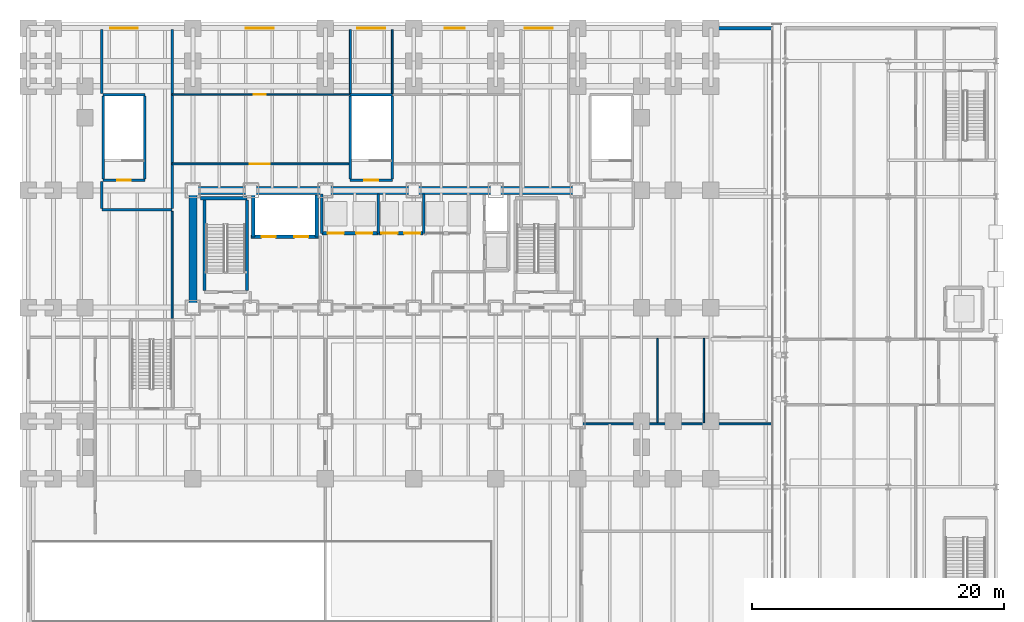
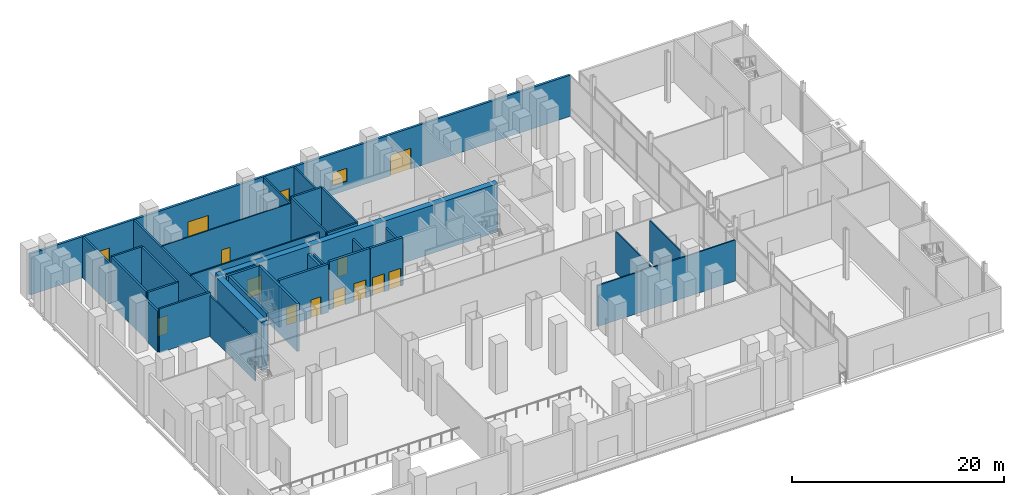
# One storey, part 24 of 36: 34 walls, 14 doors, 1 window, 15 openings.
"""IFC4 building model written with IfcOpenShell, lengths in metres."""

from ifc_helpers import new_model, si_unit, direction, frame, frame_2d, origin, place, context, subcontext, project, spatial, rectangle, extrude, material, layer, layer_set, type_object, element, fill, save


model = new_model("IFC4")

# Units and contexts
model_context = context("Model", 3, precision=1e-05, world=origin(), true_north=direction((0.0, 1.0)))
body_context = subcontext(model_context, "Body", "Model", "MODEL_VIEW")
ifc_project = project(units=[si_unit("LENGTHUNIT", "METRE"), si_unit("AREAUNIT", "SQUARE_METRE"), si_unit("VOLUMEUNIT", "CUBIC_METRE"), si_unit("PLANEANGLEUNIT", "RADIAN"), si_unit("MASSUNIT", "GRAM", prefix="KILO")], contexts=[model_context])

# Site, building, storey
site_placement = place(None, origin())
site = spatial("IfcSite", under=ifc_project, at=site_placement, CompositionType="ELEMENT")
building_placement = place(site_placement, origin())
building = spatial("IfcBuilding", under=site, at=building_placement, Name="Noeulbin Bourse Tower", CompositionType="ELEMENT")
storey_placement = place(building_placement, origin())
storey = spatial("IfcBuildingStorey", under=building, at=storey_placement, Name="L01", CompositionType="ELEMENT", Elevation=0.0)

# Walls
ifc_material_1 = material(Name="Concrete C60/75", Category="concrete")
ifc_layer_1 = layer(ifc_material_1, 0.64990234375)
ifc_layer_set_1 = layer_set([ifc_layer_1], Name="Concrete C60/75")
wall_type_1 = type_object("IfcWallType", Name="WAL-CORE-650", PredefinedType="SHEAR", material=ifc_layer_set_1)
wall_1_placement = place(storey_placement, frame((13.5, 38.300048828125, 0.0), z_axis=(0.0, 0.0, 1.0), x_axis=(1.0, 0.0, 0.0)))
element("IfcWall", 1, at=wall_1_placement, inside=storey, type_object=wall_type_1, Name="Rear Core North Shear Wall L01", PredefinedType="SHEAR", context=body_context, shape_type="SweptSolid", body=[
    extrude(rectangle(XDim=30.5, YDim=0.64990234375, at=frame_2d((15.25, 0.0))), origin(), (0.0, 0.0, 1.0), 5.550048828125),
])
wall_2_placement = place(storey_placement, frame((13.5, 29.35009765625, 0.0), z_axis=(0.0, 0.0, 1.0), x_axis=(0.0, 1.0, 0.0)))
element("IfcWall", 2, at=wall_2_placement, inside=storey, type_object=wall_type_1, Name="Rear Core West Shear Wall L01", PredefinedType="SHEAR", context=body_context, shape_type="SweptSolid", body=[
    extrude(rectangle(XDim=8.599853515625, YDim=0.64990234375, at=frame_2d((4.2998046875, 0.0))), origin(), (0.0, 0.0, 1.0), 5.550048828125),
])

# Wall, openings, doors, window
ifc_material_2 = material(Name="Precast Concrete C40/50", Category="concrete")
ifc_layer_2 = layer(ifc_material_2, 0.25)
ifc_layer_set_2 = layer_set([ifc_layer_2], Name="Precast Concrete C40/50")
wall_type_2 = type_object("IfcWallType", Name="WAL-EXT-250", PredefinedType="STANDARD", material=ifc_layer_set_2)
wall_3_placement = place(storey_placement, frame((0.449951171875, 51.14990234375, 0.0), z_axis=(0.0, 0.0, 1.0), x_axis=(1.0, 0.0, 0.0)))
wall_3 = element("IfcWall", 3, at=wall_3_placement, inside=storey, type_object=wall_type_2, Name="Concourse North Facade Wall", PredefinedType="STANDARD", context=body_context, shape_type="SweptSolid", body=[
    extrude(rectangle(XDim=58.969970703125, YDim=0.25, at=frame_2d((29.48486328125, 0.0))), origin(), (0.0, 0.0, 1.0), 4.75),
])
opening_1_placement = place(wall_3_placement, frame((6.489990234375, 0.0, 0.0)))
opening_1 = element("IfcOpeningElement", 4, at=opening_1_placement, cuts=wall_3, Name="Opening ED-22", PredefinedType="OPENING", context=body_context, shape_type="SweptSolid", body=[
    extrude(rectangle(XDim=2.199951171875, YDim=2.39990234375, at=frame_2d((1.10009765625, 1.199951171875))), frame((0.0, 0.135009765625, 0.0), z_axis=(0.0, -1.0, 0.0), x_axis=(1.0, 0.0, 0.0)), (0.0, 0.0, 1.0), 0.27001953125),
])
opening_2_placement = place(wall_3_placement, frame((17.25, 0.0, 0.0)))
opening_2 = element("IfcOpeningElement", 5, at=opening_2_placement, cuts=wall_3, Name="Opening ED-22", PredefinedType="OPENING", context=body_context, shape_type="SweptSolid", body=[
    extrude(rectangle(XDim=2.199951171875, YDim=2.39990234375, at=frame_2d((1.10009765625, 1.199951171875))), frame((0.0, 0.135009765625, 0.0), z_axis=(0.0, -1.0, 0.0), x_axis=(1.0, 0.0, 0.0)), (0.0, 0.0, 1.0), 0.27001953125),
])
opening_3_placement = place(wall_3_placement, frame((26.090087890625, 0.0, 0.0)))
opening_3 = element("IfcOpeningElement", 6, at=opening_3_placement, cuts=wall_3, Name="Opening ED-22", PredefinedType="OPENING", context=body_context, shape_type="SweptSolid", body=[
    extrude(rectangle(XDim=2.199951171875, YDim=2.39990234375, at=frame_2d((1.10009765625, 1.199951171875))), frame((0.0, 0.135009765625, 0.0), z_axis=(0.0, -1.0, 0.0), x_axis=(1.0, 0.0, 0.0)), (0.0, 0.0, 1.0), 0.27001953125),
])
opening_4_placement = place(wall_3_placement, frame((39.35009765625, 0.0, 0.0)))
opening_4 = element("IfcOpeningElement", 7, at=opening_4_placement, cuts=wall_3, Name="Opening ED-22", PredefinedType="OPENING", context=body_context, shape_type="SweptSolid", body=[
    extrude(rectangle(XDim=2.199951171875, YDim=2.39990234375, at=frame_2d((1.10009765625, 1.199951171875))), frame((0.0, 0.135009765625, 0.0), z_axis=(0.0, -1.0, 0.0), x_axis=(1.0, 0.0, 0.0)), (0.0, 0.0, 1.0), 0.27001953125),
])
opening_5_placement = place(wall_3_placement, frame((33.0, 0.0, 1.050048828125)))
opening_5 = element("IfcOpeningElement", 8, at=opening_5_placement, cuts=wall_3, Name="Opening W-03", PredefinedType="OPENING", context=body_context, shape_type="SweptSolid", body=[
    extrude(rectangle(XDim=1.60009765625, YDim=1.5, at=frame_2d((0.800048828125, 0.75))), frame((0.0, 0.135009765625, 0.0), z_axis=(0.0, -1.0, 0.0), x_axis=(1.0, 0.0, 0.0)), (0.0, 0.0, 1.0), 0.27001953125),
])
ifc_material_3 = material(Name="Anodised Aluminium Framed Toughened Glass", Category="aluminium")
door_type_1 = type_object("IfcDoorType", Name="DR-EXT-2200", OperationType="DOUBLE_DOOR_SINGLE_SWING", PredefinedType="DOOR", material=ifc_material_3)
door_1_placement = place(opening_1_placement, origin())
door_1 = element("IfcDoor", 9, at=door_1_placement, inside=storey, type_object=door_type_1, Name="Harbour Promenade Exit Portal ED-N1", OperationType="DOUBLE_DOOR_SINGLE_SWING", OverallHeight=2.39990234375, OverallWidth=2.199951171875, PredefinedType="DOOR", context=body_context, shape_type="SweptSolid", body=[
    extrude(rectangle(XDim=2.199951171875, YDim=2.39990234375, at=frame_2d((1.10009765625, 1.199951171875))), frame((0.0, 0.02490234375, 0.0), z_axis=(0.0, -1.0, 0.0), x_axis=(1.0, 0.0, 0.0)), (0.0, 0.0, 1.0), 0.050048828125),
])
fill(opening_1, door_1)
door_2_placement = place(opening_2_placement, origin())
door_2 = element("IfcDoor", 10, at=door_2_placement, inside=storey, type_object=door_type_1, Name="Harbour Promenade Exit Portal ED-N2", OperationType="DOUBLE_DOOR_SINGLE_SWING", OverallHeight=2.39990234375, OverallWidth=2.199951171875, PredefinedType="DOOR", context=body_context, shape_type="SweptSolid", body=[
    extrude(rectangle(XDim=2.199951171875, YDim=2.39990234375, at=frame_2d((1.10009765625, 1.199951171875))), frame((0.0, 0.02490234375, 0.0), z_axis=(0.0, -1.0, 0.0), x_axis=(1.0, 0.0, 0.0)), (0.0, 0.0, 1.0), 0.050048828125),
])
fill(opening_2, door_2)
door_3_placement = place(opening_3_placement, origin())
door_3 = element("IfcDoor", 11, at=door_3_placement, inside=storey, type_object=door_type_1, Name="Harbour Promenade Exit Portal ED-N3", OperationType="DOUBLE_DOOR_SINGLE_SWING", OverallHeight=2.39990234375, OverallWidth=2.199951171875, PredefinedType="DOOR", context=body_context, shape_type="SweptSolid", body=[
    extrude(rectangle(XDim=2.199951171875, YDim=2.39990234375, at=frame_2d((1.10009765625, 1.199951171875))), frame((0.0, 0.02490234375, 0.0), z_axis=(0.0, -1.0, 0.0), x_axis=(1.0, 0.0, 0.0)), (0.0, 0.0, 1.0), 0.050048828125),
])
fill(opening_3, door_3)
door_4_placement = place(opening_4_placement, origin())
door_4 = element("IfcDoor", 12, at=door_4_placement, inside=storey, type_object=door_type_1, Name="Harbour Promenade Exit Portal ED-N4", OperationType="DOUBLE_DOOR_SINGLE_SWING", OverallHeight=2.39990234375, OverallWidth=2.199951171875, PredefinedType="DOOR", context=body_context, shape_type="SweptSolid", body=[
    extrude(rectangle(XDim=2.199951171875, YDim=2.39990234375, at=frame_2d((1.10009765625, 1.199951171875))), frame((0.0, 0.02490234375, 0.0), z_axis=(0.0, -1.0, 0.0), x_axis=(1.0, 0.0, 0.0)), (0.0, 0.0, 1.0), 0.050048828125),
])
fill(opening_4, door_4)
ifc_material_4 = material(Name="Thermally Broken Aluminium Triple Glazing", Category="aluminium")
window_type = type_object("IfcWindowType", Name="WIN-STN-1600x1500", PartitioningType="SINGLE_PANEL", PredefinedType="WINDOW", material=ifc_material_4)
window_placement = place(opening_5_placement, origin())
window = element("IfcWindow", 13, at=window_placement, inside=storey, type_object=window_type, Name="Station Concourse Window W3-04", OverallHeight=1.5, OverallWidth=1.60009765625, PartitioningType="SINGLE_PANEL", PredefinedType="WINDOW", context=body_context, shape_type="SweptSolid", body=[
    extrude(rectangle(XDim=1.60009765625, YDim=1.5, at=frame_2d((0.800048828125, 0.75))), frame((0.0, 0.030029296875, 0.0), z_axis=(0.0, -1.0, 0.0), x_axis=(1.0, 0.0, 0.0)), (0.0, 0.0, 1.0), 0.06005859375),
])
fill(opening_5, window)

# Wall, opening, door
ifc_material_5 = material(Name="Concrete C40/50", Category="concrete")
ifc_layer_3 = layer(ifc_material_5, 0.199951171875)
ifc_layer_set_3 = layer_set([ifc_layer_3], Name="Concrete C40/50")
wall_type_3 = type_object("IfcWallType", Name="WAL-FIRE-200", PredefinedType="STANDARD", material=ifc_layer_set_3)
wall_4_placement = place(storey_placement, frame((6.360107421875, 39.10009765625, 0.0), z_axis=(0.0, 0.0, 1.0), x_axis=(1.0, 0.0, 0.0)))
wall_4 = element("IfcWall", 14, at=wall_4_placement, inside=storey, type_object=wall_type_3, Name="Stair STS1 South Wall L01", PredefinedType="STANDARD", context=body_context, shape_type="SweptSolid", body=[
    extrude(rectangle(XDim=3.35986328125, YDim=0.199951171875, at=frame_2d((1.679931640625, 0.0))), origin(), (0.0, 0.0, 1.0), 5.550048828125),
])
opening_6_placement = place(wall_4_placement, frame((1.1298828125, 0.0, 0.0)))
opening_6 = element("IfcOpeningElement", 15, at=opening_6_placement, cuts=wall_4, Name="Opening FD-11", PredefinedType="OPENING", context=body_context, shape_type="SweptSolid", body=[
    extrude(rectangle(XDim=1.10009765625, YDim=2.080078125, at=frame_2d((0.550048828125, 1.0400390625))), frame((0.0, 0.10986328125, 0.0), z_axis=(0.0, -1.0, 0.0), x_axis=(1.0, 0.0, 0.0)), (0.0, 0.0, 1.0), 0.219970703125),
])
ifc_material_6 = material(Name="Fire-Rated Insulated Steel", Category="steel")
door_type_2 = type_object("IfcDoorType", Name="DR-FD60-1100", OperationType="SINGLE_SWING_LEFT", PredefinedType="DOOR", material=ifc_material_6)
door_5_placement = place(opening_6_placement, origin())
door_5 = element("IfcDoor", 16, at=door_5_placement, inside=storey, type_object=door_type_2, Name="Escape Stair Door STS1-L01", OperationType="SINGLE_SWING_RIGHT", OverallHeight=2.080078125, OverallWidth=1.10009765625, PredefinedType="DOOR", context=body_context, shape_type="SweptSolid", body=[
    extrude(rectangle(XDim=1.10009765625, YDim=2.080078125, at=frame_2d((0.550048828125, 1.0400390625))), frame((0.0, 0.02490234375, 0.0), z_axis=(0.0, -1.0, 0.0), x_axis=(1.0, 0.0, 0.0)), (0.0, 0.0, 1.0), 0.050048828125),
])
fill(opening_6, door_5)

# Walls
wall_5_placement = place(storey_placement, frame((6.360107421875, 45.8798828125, 0.0), z_axis=(0.0, 0.0, 1.0), x_axis=(1.0, 0.0, 0.0)))
element("IfcWall", 17, at=wall_5_placement, inside=storey, type_object=wall_type_3, Name="Stair STS1 North Wall L01", PredefinedType="STANDARD", context=body_context, shape_type="SweptSolid", body=[
    extrude(rectangle(XDim=3.35986328125, YDim=0.199951171875, at=frame_2d((1.679931640625, 0.0))), origin(), (0.0, 0.0, 1.0), 5.550048828125),
])
for number, where, z_axis, x_axis, name in (
    (18, (6.3798828125, 39.199951171875, 0.0), (0.0, 0.0, 1.0), (0.0, 1.0, 0.0), "Stair STS1 West Wall L01"),
    (19, (9.699951171875, 39.199951171875, 0.0), (0.0, 0.0, 1.0), (0.0, 1.0, 0.0), "Stair STS1 East Wall L01"),
):
    element("IfcWall", number, at=place(storey_placement, frame(where, z_axis=z_axis, x_axis=x_axis)), inside=storey, type_object=wall_type_3, Name=name, PredefinedType="STANDARD", context=body_context, shape_type="SweptSolid", body=[
        extrude(rectangle(XDim=6.580078125, YDim=0.199951171875, at=frame_2d((3.2900390625, 0.0))), origin(), (0.0, 0.0, 1.0), 5.550048828125),
    ])

# Wall, opening, door
wall_6_placement = place(storey_placement, frame((25.9599609375, 39.10009765625, 0.0), z_axis=(0.0, 0.0, 1.0), x_axis=(1.0, 0.0, 0.0)))
wall_6 = element("IfcWall", 20, at=wall_6_placement, inside=storey, type_object=wall_type_3, Name="Stair STS2 South Wall L01", PredefinedType="STANDARD", context=body_context, shape_type="SweptSolid", body=[
    extrude(rectangle(XDim=3.360107421875, YDim=0.199951171875, at=frame_2d((1.68017578125, 0.0))), origin(), (0.0, 0.0, 1.0), 5.550048828125),
])
opening_7_placement = place(wall_6_placement, frame((1.1298828125, 0.0, 0.0)))
opening_7 = element("IfcOpeningElement", 21, at=opening_7_placement, cuts=wall_6, Name="Opening FD-11", PredefinedType="OPENING", context=body_context, shape_type="SweptSolid", body=[
    extrude(rectangle(XDim=1.10009765625, YDim=2.080078125, at=frame_2d((0.550048828125, 1.0400390625))), frame((0.0, 0.10986328125, 0.0), z_axis=(0.0, -1.0, 0.0), x_axis=(1.0, 0.0, 0.0)), (0.0, 0.0, 1.0), 0.219970703125),
])
door_6_placement = place(opening_7_placement, origin())
door_6 = element("IfcDoor", 22, at=door_6_placement, inside=storey, type_object=door_type_2, Name="Escape Stair Door STS2-L01", OperationType="SINGLE_SWING_RIGHT", OverallHeight=2.080078125, OverallWidth=1.10009765625, PredefinedType="DOOR", context=body_context, shape_type="SweptSolid", body=[
    extrude(rectangle(XDim=1.10009765625, YDim=2.080078125, at=frame_2d((0.550048828125, 1.0400390625))), frame((0.0, 0.02490234375, 0.0), z_axis=(0.0, -1.0, 0.0), x_axis=(1.0, 0.0, 0.0)), (0.0, 0.0, 1.0), 0.050048828125),
])
fill(opening_7, door_6)

# Walls
wall_7_placement = place(storey_placement, frame((25.9599609375, 45.8798828125, 0.0), z_axis=(0.0, 0.0, 1.0), x_axis=(1.0, 0.0, 0.0)))
element("IfcWall", 23, at=wall_7_placement, inside=storey, type_object=wall_type_3, Name="Stair STS2 North Wall L01", PredefinedType="STANDARD", context=body_context, shape_type="SweptSolid", body=[
    extrude(rectangle(XDim=3.360107421875, YDim=0.199951171875, at=frame_2d((1.68017578125, 0.0))), origin(), (0.0, 0.0, 1.0), 5.550048828125),
])
for number, where, z_axis, x_axis, name in (
    (24, (25.97998046875, 39.199951171875, 0.0), (0.0, 0.0, 1.0), (0.0, 1.0, 0.0), "Stair STS2 West Wall L01"),
    (25, (29.300048828125, 39.199951171875, 0.0), (0.0, 0.0, 1.0), (0.0, 1.0, 0.0), "Stair STS2 East Wall L01"),
):
    element("IfcWall", number, at=place(storey_placement, frame(where, z_axis=z_axis, x_axis=x_axis)), inside=storey, type_object=wall_type_3, Name=name, PredefinedType="STANDARD", context=body_context, shape_type="SweptSolid", body=[
        extrude(rectangle(XDim=6.580078125, YDim=0.199951171875, at=frame_2d((3.2900390625, 0.0))), origin(), (0.0, 0.0, 1.0), 5.550048828125),
    ])
wall_8_placement = place(storey_placement, frame((6.280029296875, 36.75, 0.0), z_axis=(0.0, 0.0, 1.0), x_axis=(1.0, 0.0, 0.0)))
element("IfcWall", 26, at=wall_8_placement, inside=storey, type_object=wall_type_3, Name="Interior Partition Wall L01-01", PredefinedType="STANDARD", context=body_context, shape_type="SweptSolid", body=[
    extrude(rectangle(XDim=5.570068359375, YDim=0.199951171875, at=frame_2d((2.78515625, 0.0))), origin(), (0.0, 0.0, 1.0), 5.080078125),
])
wall_9_placement = place(storey_placement, frame((6.280029296875, 36.860107421875, 0.0), z_axis=(0.0, 0.0, 1.0), x_axis=(0.0, 1.0, 0.0)))
element("IfcWall", 27, at=wall_9_placement, inside=storey, type_object=wall_type_3, Name="Interior Partition Wall L01-16", PredefinedType="STANDARD", context=body_context, shape_type="SweptSolid", body=[
    extrude(rectangle(XDim=2.1298828125, YDim=0.199951171875, at=frame_2d((1.06494140625, 0.0))), origin(), (0.0, 0.0, 1.0), 4.72998046875),
])
wall_10_placement = place(storey_placement, frame((6.280029296875, 45.989990234375, 0.0), z_axis=(0.0, 0.0, 1.0), x_axis=(0.0, 1.0, 0.0)))
element("IfcWall", 28, at=wall_10_placement, inside=storey, type_object=wall_type_3, Name="Interior Partition Wall L01-17", PredefinedType="STANDARD", context=body_context, shape_type="SweptSolid", body=[
    extrude(rectangle(XDim=5.0400390625, YDim=0.199951171875, at=frame_2d((2.52001953125, 0.0))), origin(), (0.0, 0.0, 1.0), 4.72998046875),
])
wall_11_placement = place(storey_placement, frame((11.85009765625, 36.860107421875, 0.0), z_axis=(0.0, 0.0, 1.0), x_axis=(0.0, 1.0, 0.0)))
element("IfcWall", 29, at=wall_11_placement, inside=storey, type_object=wall_type_3, Name="Interior Partition Wall L01-18", PredefinedType="STANDARD", context=body_context, shape_type="SweptSolid", body=[
    extrude(rectangle(XDim=14.169921875, YDim=0.199951171875, at=frame_2d((7.0849609375, 0.0))), origin(), (0.0, 0.0, 1.0), 4.72998046875),
])

# Wall, opening, door
ifc_material_7 = material(Name="Steel Stud Gypsum Partition", Category="steel")
ifc_layer_4 = layer(ifc_material_7, 0.1201171875)
ifc_layer_set_4 = layer_set([ifc_layer_4], Name="Steel Stud Gypsum Partition")
wall_type_4 = type_object("IfcWallType", Name="WAL-PRT-120", PredefinedType="PARTITIONING", material=ifc_layer_set_4)
wall_12_placement = place(storey_placement, frame((11.85009765625, 45.89990234375, 0.0), z_axis=(0.0, 0.0, 1.0), x_axis=(1.0, 0.0, 0.0)))
wall_12 = element("IfcWall", 30, at=wall_12_placement, inside=storey, type_object=wall_type_4, Name="Interior Partition Wall L01-03", PredefinedType="PARTITIONING", context=body_context, shape_type="SweptSolid", body=[
    extrude(rectangle(XDim=14.1298828125, YDim=0.1201171875, at=frame_2d((7.06494140625, 0.0))), origin(), (0.0, 0.0, 1.0), 4.830078125),
])
opening_8_placement = place(wall_12_placement, frame((6.47509765625, 0.0, 0.0)))
opening_8 = element("IfcOpeningElement", 31, at=opening_8_placement, cuts=wall_12, Name="Opening ID-09", PredefinedType="OPENING", context=body_context, shape_type="SweptSolid", body=[
    extrude(rectangle(XDim=0.949951171875, YDim=2.080078125, at=frame_2d((0.47509765625, 1.0400390625))), frame((0.0, 0.070068359375, 0.0), z_axis=(0.0, -1.0, 0.0), x_axis=(1.0, 0.0, 0.0)), (0.0, 0.0, 1.0), 0.14013671875),
])
ifc_material_8 = material(Name="Acoustic Solid-Core Timber", Category="wood")
door_type_3 = type_object("IfcDoorType", Name="DR-SINGLE-950", OperationType="SINGLE_SWING_LEFT", PredefinedType="DOOR", material=ifc_material_8)
door_7_placement = place(opening_8_placement, origin())
door_7 = element("IfcDoor", 32, at=door_7_placement, inside=storey, type_object=door_type_3, Name="Interior Door L01-13", OperationType="SINGLE_SWING_LEFT", OverallHeight=2.080078125, OverallWidth=0.949951171875, PredefinedType="DOOR", context=body_context, shape_type="SweptSolid", body=[
    extrude(rectangle(XDim=0.949951171875, YDim=2.080078125, at=frame_2d((0.47509765625, 1.0400390625))), frame((0.0, 0.02490234375, 0.0), z_axis=(0.0, -1.0, 0.0), x_axis=(1.0, 0.0, 0.0)), (0.0, 0.0, 1.0), 0.050048828125),
])
fill(opening_8, door_7)

# Walls
for number, where, z_axis, x_axis, name in (
    (33, (50.300048828125, 19.885009765625, 0.0), (0.0, 0.0, 1.0), (0.0, 1.0, 0.0), "Interior Partition Wall L01-29"),
    (34, (54.0, 19.885009765625, 0.0), (0.0, 0.0, 1.0), (0.0, 1.0, 0.0), "Interior Partition Wall L01-30"),
):
    element("IfcWall", number, at=place(storey_placement, frame(where, z_axis=z_axis, x_axis=x_axis)), inside=storey, type_object=wall_type_4, Name=name, PredefinedType="PARTITIONING", context=body_context, shape_type="SweptSolid", body=[
        extrude(rectangle(XDim=6.679931640625, YDim=0.1201171875, at=frame_2d((3.33984375, 0.0))), origin(), (0.0, 0.0, 1.0), 4.72998046875),
    ])
ifc_material_9 = material(Name="Steel Stud Acoustic Gypsum Board", Category="steel")
ifc_layer_5 = layer(ifc_material_9, 0.14990234375)
ifc_layer_set_5 = layer_set([ifc_layer_5], Name="Steel Stud Acoustic Gypsum Board")
wall_type_5 = type_object("IfcWallType", Name="WAL-PRT-150", PredefinedType="PARTITIONING", material=ifc_layer_set_5)
wall_13_placement = place(storey_placement, frame((44.300048828125, 19.800048828125, 0.0), z_axis=(0.0, 0.0, 1.0), x_axis=(1.0, 0.0, 0.0)))
element("IfcWall", 35, at=wall_13_placement, inside=storey, type_object=wall_type_5, Name="Interior Partition Wall L01-08", PredefinedType="PARTITIONING", context=body_context, shape_type="SweptSolid", body=[
    extrude(rectangle(XDim=15.050048828125, YDim=0.14990234375, at=frame_2d((7.52490234375, 0.0))), origin(), (0.0, 0.0, 1.0), 4.72998046875),
])

# Wall, opening, door
wall_14_placement = place(storey_placement, frame((11.85009765625, 40.39990234375, 0.0), z_axis=(0.0, 0.0, 1.0), x_axis=(1.0, 0.0, 0.0)))
wall_14 = element("IfcWall", 36, at=wall_14_placement, inside=storey, type_object=wall_type_5, Name="Interior Partition Wall L01-09", PredefinedType="PARTITIONING", context=body_context, shape_type="SweptSolid", body=[
    extrude(rectangle(XDim=14.02001953125, YDim=0.14990234375, at=frame_2d((7.010009765625, 0.0))), origin(), (0.0, 0.0, 1.0), 4.830078125),
])
opening_9_placement = place(wall_14_placement, frame((6.14990234375, 0.0, 0.0)))
opening_9 = element("IfcOpeningElement", 37, at=opening_9_placement, cuts=wall_14, Name="Opening ID-16", PredefinedType="OPENING", context=body_context, shape_type="SweptSolid", body=[
    extrude(rectangle(XDim=1.60009765625, YDim=2.080078125, at=frame_2d((0.800048828125, 1.0400390625))), frame((0.0, 0.0849609375, 0.0), z_axis=(0.0, -1.0, 0.0), x_axis=(1.0, 0.0, 0.0)), (0.0, 0.0, 1.0), 0.169921875),
])
ifc_material_10 = material(Name="Acoustic Glazed Aluminium", Category="aluminium")
door_type_4 = type_object("IfcDoorType", Name="DR-DBL-1600", OperationType="DOUBLE_DOOR_SINGLE_SWING", PredefinedType="DOOR", material=ifc_material_10)
door_8_placement = place(opening_9_placement, origin())
door_8 = element("IfcDoor", 38, at=door_8_placement, inside=storey, type_object=door_type_4, Name="Interior Door L01-11", OperationType="DOUBLE_DOOR_SINGLE_SWING", OverallHeight=2.080078125, OverallWidth=1.60009765625, PredefinedType="DOOR", context=body_context, shape_type="SweptSolid", body=[
    extrude(rectangle(XDim=1.60009765625, YDim=2.080078125, at=frame_2d((0.800048828125, 1.0400390625))), frame((0.0, 0.02490234375, 0.0), z_axis=(0.0, -1.0, 0.0), x_axis=(1.0, 0.0, 0.0)), (0.0, 0.0, 1.0), 0.050048828125),
])
fill(opening_9, door_8)

# Walls
for number, where, z_axis, x_axis, name in (
    (39, (25.97998046875, 45.969970703125, 0.0), (0.0, 0.0, 1.0), (0.0, 1.0, 0.0), "Interior Partition Wall L01-20"),
    (40, (29.300048828125, 45.969970703125, 0.0), (0.0, 0.0, 1.0), (0.0, 1.0, 0.0), "Interior Partition Wall L01-21"),
):
    element("IfcWall", number, at=place(storey_placement, frame(where, z_axis=z_axis, x_axis=x_axis)), inside=storey, type_object=wall_type_5, Name=name, PredefinedType="PARTITIONING", context=body_context, shape_type="SweptSolid", body=[
        extrude(rectangle(XDim=5.06005859375, YDim=0.14990234375, at=frame_2d((2.530029296875, 0.0))), origin(), (0.0, 0.0, 1.0), 4.72998046875),
    ])
wall_15_placement = place(storey_placement, frame((11.85009765625, 28.14990234375, 0.0), z_axis=(0.0, 0.0, 1.0), x_axis=(0.0, 1.0, 0.0)))
element("IfcWall", 41, at=wall_15_placement, inside=storey, type_object=wall_type_5, Name="Interior Partition Wall L01-31", PredefinedType="PARTITIONING", context=body_context, shape_type="SweptSolid", body=[
    extrude(rectangle(XDim=8.489990234375, YDim=0.14990234375, at=frame_2d((4.2451171875, 0.0))), origin(), (0.0, 0.0, 1.0), 4.72998046875),
])
ifc_layer_6 = layer(ifc_material_5, 0.25)
ifc_layer_set_6 = layer_set([ifc_layer_6], Name="Concrete C40/50")
wall_type_6 = type_object("IfcWallType", Name="WAL-SHFT-250", PredefinedType="STANDARD", material=ifc_layer_set_6)
wall_16_placement = place(storey_placement, frame((14.10009765625, 37.6689453125, 0.0), z_axis=(0.0, 0.0, 1.0), x_axis=(1.0, 0.0, 0.0)))
element("IfcWall", 42, at=wall_16_placement, inside=storey, type_object=wall_type_6, Name="Stair ST-1 North Shaft Wall L01", PredefinedType="STANDARD", context=body_context, shape_type="SweptSolid", body=[
    extrude(rectangle(XDim=3.669921875, YDim=0.25, at=frame_2d((1.8349609375, 0.0))), origin(), (0.0, 0.0, 1.0), 5.550048828125),
])
for number, where, z_axis, x_axis, name in (
    (43, (14.425048828125, 30.360107421875, 0.0), (0.0, 0.0, 1.0), (0.0, 1.0, 0.0), "Stair ST-1 West Shaft Wall L01"),
    (44, (17.77490234375, 30.360107421875, 0.0), (0.0, 0.0, 1.0), (0.0, 1.0, 0.0), "Stair ST-1 East Shaft Wall L01"),
):
    element("IfcWall", number, at=place(storey_placement, frame(where, z_axis=z_axis, x_axis=x_axis)), inside=storey, type_object=wall_type_6, Name=name, PredefinedType="STANDARD", context=body_context, shape_type="SweptSolid", body=[
        extrude(rectangle(XDim=7.183837890625, YDim=0.25, at=frame_2d((3.591796875, 0.0))), origin(), (0.0, 0.0, 1.0), 5.550048828125),
    ])

# Wall, openings, doors
wall_17_placement = place(storey_placement, frame((18.10009765625, 34.6201171875, 0.0), z_axis=(0.0, 0.0, 1.0), x_axis=(1.0, 0.0, 0.0)))
wall_17 = element("IfcWall", 45, at=wall_17_placement, inside=storey, type_object=wall_type_6, Name="Firefighting Lift Shaft Front L01", PredefinedType="STANDARD", context=body_context, shape_type="SweptSolid", body=[
    extrude(rectangle(XDim=5.349853515625, YDim=0.25, at=frame_2d((2.6748046875, 0.0))), origin(), (0.0, 0.0, 1.0), 5.550048828125),
])
opening_10_placement = place(wall_17_placement, frame((0.85009765625, 0.0, 0.0)))
opening_10 = element("IfcOpeningElement", 46, at=opening_10_placement, cuts=wall_17, Name="Opening LD-11", PredefinedType="OPENING", context=body_context, shape_type="SweptSolid", body=[
    extrude(rectangle(XDim=1.10009765625, YDim=2.080078125, at=frame_2d((0.550048828125, 1.0400390625))), frame((0.0, 0.135009765625, 0.0), z_axis=(0.0, -1.0, 0.0), x_axis=(1.0, 0.0, 0.0)), (0.0, 0.0, 1.0), 0.27001953125),
])
opening_11_placement = place(wall_17_placement, frame((3.449951171875, 0.0, 0.0)))
opening_11 = element("IfcOpeningElement", 47, at=opening_11_placement, cuts=wall_17, Name="Opening LD-11", PredefinedType="OPENING", context=body_context, shape_type="SweptSolid", body=[
    extrude(rectangle(XDim=1.10009765625, YDim=2.080078125, at=frame_2d((0.550048828125, 1.0400390625))), frame((0.0, 0.135009765625, 0.0), z_axis=(0.0, -1.0, 0.0), x_axis=(1.0, 0.0, 0.0)), (0.0, 0.0, 1.0), 0.27001953125),
])
ifc_material_11 = material(Name="Brushed Stainless Steel 316", Category="steel")
door_type_5 = type_object("IfcDoorType", Name="DR-LIFT-1100", OperationType="SLIDING_TO_LEFT", PredefinedType="DOOR", material=ifc_material_11)
door_9_placement = place(opening_10_placement, origin())
door_9 = element("IfcDoor", 48, at=door_9_placement, inside=storey, type_object=door_type_5, Name="Lift Landing Door LD-FL-01-L01", OperationType="SLIDING_TO_LEFT", OverallHeight=2.080078125, OverallWidth=1.10009765625, PredefinedType="DOOR", context=body_context, shape_type="SweptSolid", body=[
    extrude(rectangle(XDim=1.10009765625, YDim=2.080078125, at=frame_2d((0.550048828125, 1.0400390625))), frame((0.0, 0.02490234375, 0.0), z_axis=(0.0, -1.0, 0.0), x_axis=(1.0, 0.0, 0.0)), (0.0, 0.0, 1.0), 0.050048828125),
])
fill(opening_10, door_9)
door_10_placement = place(opening_11_placement, origin())
door_10 = element("IfcDoor", 49, at=door_10_placement, inside=storey, type_object=door_type_5, Name="Lift Landing Door LD-FL-02-L01", OperationType="SLIDING_TO_LEFT", OverallHeight=2.080078125, OverallWidth=1.10009765625, PredefinedType="DOOR", context=body_context, shape_type="SweptSolid", body=[
    extrude(rectangle(XDim=1.10009765625, YDim=2.080078125, at=frame_2d((0.550048828125, 1.0400390625))), frame((0.0, 0.02490234375, 0.0), z_axis=(0.0, -1.0, 0.0), x_axis=(1.0, 0.0, 0.0)), (0.0, 0.0, 1.0), 0.050048828125),
])
fill(opening_11, door_10)

# Walls
for number, where, z_axis, x_axis, name in (
    (50, (18.280029296875, 34.6201171875, 0.0), (0.0, 0.0, 1.0), (0.0, 1.0, 0.0), "Firefighting Lift West Shaft Wall L01"),
    (51, (23.320068359375, 34.6201171875, 0.0), (0.0, 0.0, 1.0), (0.0, 1.0, 0.0), "Firefighting Lift East Shaft Wall L01"),
):
    element("IfcWall", number, at=place(storey_placement, frame(where, z_axis=z_axis, x_axis=x_axis)), inside=storey, type_object=wall_type_6, Name=name, PredefinedType="STANDARD", context=body_context, shape_type="SweptSolid", body=[
        extrude(rectangle(XDim=3.329833984375, YDim=0.25, at=frame_2d((1.6650390625, 0.0))), origin(), (0.0, 0.0, 1.0), 4.72998046875),
    ])

# Wall, openings, doors
wall_18_placement = place(storey_placement, frame((23.75, 34.89990234375, 0.0), z_axis=(0.0, 0.0, 1.0), x_axis=(1.0, 0.0, 0.0)))
wall_18 = element("IfcWall", 52, at=wall_18_placement, inside=storey, type_object=wall_type_6, Name="Low-Rise Lift Bank Front L01", PredefinedType="STANDARD", context=body_context, shape_type="SweptSolid", body=[
    extrude(rectangle(XDim=4.39990234375, YDim=0.25, at=frame_2d((2.199951171875, 0.0))), origin(), (0.0, 0.0, 1.0), 5.550048828125),
])
opening_12_placement = place(wall_18_placement, frame((0.419921875, 0.0, 0.0)))
opening_12 = element("IfcOpeningElement", 53, at=opening_12_placement, cuts=wall_18, Name="Opening LD-13", PredefinedType="OPENING", context=body_context, shape_type="SweptSolid", body=[
    extrude(rectangle(XDim=1.300048828125, YDim=2.080078125, at=frame_2d((0.64990234375, 1.0400390625))), frame((0.0, 0.135009765625, 0.0), z_axis=(0.0, -1.0, 0.0), x_axis=(1.0, 0.0, 0.0)), (0.0, 0.0, 1.0), 0.27001953125),
])
opening_13_placement = place(wall_18_placement, frame((2.679931640625, 0.0, 0.0)))
opening_13 = element("IfcOpeningElement", 54, at=opening_13_placement, cuts=wall_18, Name="Opening LD-13", PredefinedType="OPENING", context=body_context, shape_type="SweptSolid", body=[
    extrude(rectangle(XDim=1.300048828125, YDim=2.080078125, at=frame_2d((0.64990234375, 1.0400390625))), frame((0.0, 0.135009765625, 0.0), z_axis=(0.0, -1.0, 0.0), x_axis=(1.0, 0.0, 0.0)), (0.0, 0.0, 1.0), 0.27001953125),
])
door_type_6 = type_object("IfcDoorType", Name="DR-LIFT-1300", OperationType="DOUBLE_DOOR_SLIDING", PredefinedType="DOOR", material=ifc_material_11)
door_11_placement = place(opening_12_placement, origin())
door_11 = element("IfcDoor", 55, at=door_11_placement, inside=storey, type_object=door_type_6, Name="Lift Landing Door LD-PL-L1-L01", OperationType="DOUBLE_DOOR_SLIDING", OverallHeight=2.080078125, OverallWidth=1.300048828125, PredefinedType="DOOR", context=body_context, shape_type="SweptSolid", body=[
    extrude(rectangle(XDim=1.300048828125, YDim=2.080078125, at=frame_2d((0.64990234375, 1.0400390625))), frame((0.0, 0.02490234375, 0.0), z_axis=(0.0, -1.0, 0.0), x_axis=(1.0, 0.0, 0.0)), (0.0, 0.0, 1.0), 0.050048828125),
])
fill(opening_12, door_11)
door_12_placement = place(opening_13_placement, origin())
door_12 = element("IfcDoor", 56, at=door_12_placement, inside=storey, type_object=door_type_6, Name="Lift Landing Door LD-PL-L2-L01", OperationType="DOUBLE_DOOR_SLIDING", OverallHeight=2.080078125, OverallWidth=1.300048828125, PredefinedType="DOOR", context=body_context, shape_type="SweptSolid", body=[
    extrude(rectangle(XDim=1.300048828125, YDim=2.080078125, at=frame_2d((0.64990234375, 1.0400390625))), frame((0.0, 0.02490234375, 0.0), z_axis=(0.0, -1.0, 0.0), x_axis=(1.0, 0.0, 0.0)), (0.0, 0.0, 1.0), 0.050048828125),
])
fill(opening_13, door_12)

wall_19_placement = place(storey_placement, frame((28.199951171875, 34.89990234375, 0.0), z_axis=(0.0, 0.0, 1.0), x_axis=(1.0, 0.0, 0.0)))
wall_19 = element("IfcWall", 57, at=wall_19_placement, inside=storey, type_object=wall_type_6, Name="Mid-Rise Lift Bank Front L01", PredefinedType="STANDARD", context=body_context, shape_type="SweptSolid", body=[
    extrude(rectangle(XDim=3.550048828125, YDim=0.25, at=frame_2d((1.77490234375, 0.0))), origin(), (0.0, 0.0, 1.0), 5.550048828125),
])
opening_14_placement = place(wall_19_placement, frame((0.22998046875, 0.0, 0.0)))
opening_14 = element("IfcOpeningElement", 58, at=opening_14_placement, cuts=wall_19, Name="Opening LD-13", PredefinedType="OPENING", context=body_context, shape_type="SweptSolid", body=[
    extrude(rectangle(XDim=1.300048828125, YDim=2.080078125, at=frame_2d((0.64990234375, 1.0400390625))), frame((0.0, 0.135009765625, 0.0), z_axis=(0.0, -1.0, 0.0), x_axis=(1.0, 0.0, 0.0)), (0.0, 0.0, 1.0), 0.27001953125),
])
opening_15_placement = place(wall_19_placement, frame((2.030029296875, 0.0, 0.0)))
opening_15 = element("IfcOpeningElement", 59, at=opening_15_placement, cuts=wall_19, Name="Opening LD-13", PredefinedType="OPENING", context=body_context, shape_type="SweptSolid", body=[
    extrude(rectangle(XDim=1.300048828125, YDim=2.080078125, at=frame_2d((0.64990234375, 1.0400390625))), frame((0.0, 0.135009765625, 0.0), z_axis=(0.0, -1.0, 0.0), x_axis=(1.0, 0.0, 0.0)), (0.0, 0.0, 1.0), 0.27001953125),
])
door_13_placement = place(opening_14_placement, origin())
door_13 = element("IfcDoor", 60, at=door_13_placement, inside=storey, type_object=door_type_6, Name="Lift Landing Door LD-PL-M1-L01", OperationType="DOUBLE_DOOR_SLIDING", OverallHeight=2.080078125, OverallWidth=1.300048828125, PredefinedType="DOOR", context=body_context, shape_type="SweptSolid", body=[
    extrude(rectangle(XDim=1.300048828125, YDim=2.080078125, at=frame_2d((0.64990234375, 1.0400390625))), frame((0.0, 0.02490234375, 0.0), z_axis=(0.0, -1.0, 0.0), x_axis=(1.0, 0.0, 0.0)), (0.0, 0.0, 1.0), 0.050048828125),
])
fill(opening_14, door_13)
door_14_placement = place(opening_15_placement, origin())
door_14 = element("IfcDoor", 61, at=door_14_placement, inside=storey, type_object=door_type_6, Name="Lift Landing Door LD-PL-M2-L01", OperationType="DOUBLE_DOOR_SLIDING", OverallHeight=2.080078125, OverallWidth=1.300048828125, PredefinedType="DOOR", context=body_context, shape_type="SweptSolid", body=[
    extrude(rectangle(XDim=1.300048828125, YDim=2.080078125, at=frame_2d((0.64990234375, 1.0400390625))), frame((0.0, 0.02490234375, 0.0), z_axis=(0.0, -1.0, 0.0), x_axis=(1.0, 0.0, 0.0)), (0.0, 0.0, 1.0), 0.050048828125),
])
fill(opening_15, door_14)

# Walls
for number, where, z_axis, x_axis, name in (
    (62, (23.719970703125, 34.89990234375, 0.0), (0.0, 0.0, 1.0), (0.0, 1.0, 0.0), "Hoistway Side Shaft Wall L01-PLLW"),
    (63, (28.179931640625, 34.89990234375, 0.0), (0.0, 0.0, 1.0), (0.0, 1.0, 0.0), "Hoistway Side Shaft Wall L01-PLMW"),
    (64, (31.780029296875, 34.89990234375, 0.0), (0.0, 0.0, 1.0), (0.0, 1.0, 0.0), "Hoistway Side Shaft Wall L01-PLHW"),
):
    element("IfcWall", number, at=place(storey_placement, frame(where, z_axis=z_axis, x_axis=x_axis)), inside=storey, type_object=wall_type_6, Name=name, PredefinedType="STANDARD", context=body_context, shape_type="SweptSolid", body=[
        extrude(rectangle(XDim=3.1201171875, YDim=0.199951171875, at=frame_2d((1.56005859375, 0.0))), origin(), (0.0, 0.0, 1.0), 4.72998046875),
    ])

save(model, "model.ifc")
